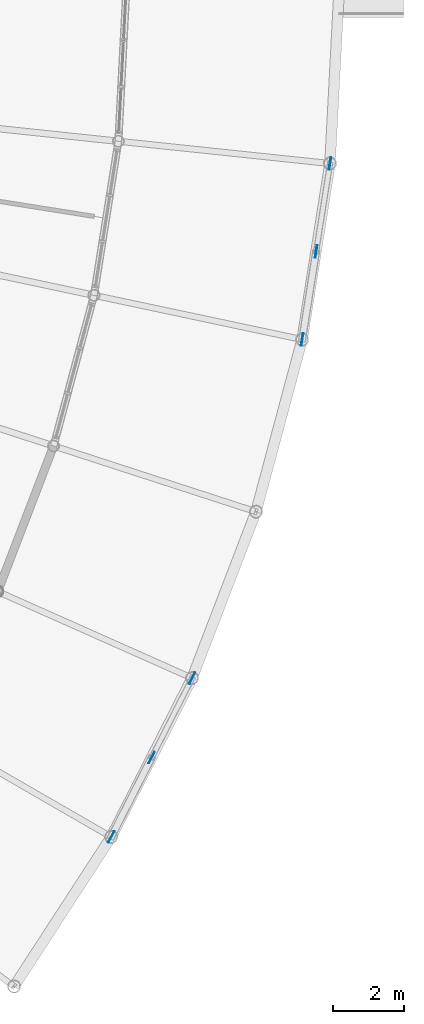
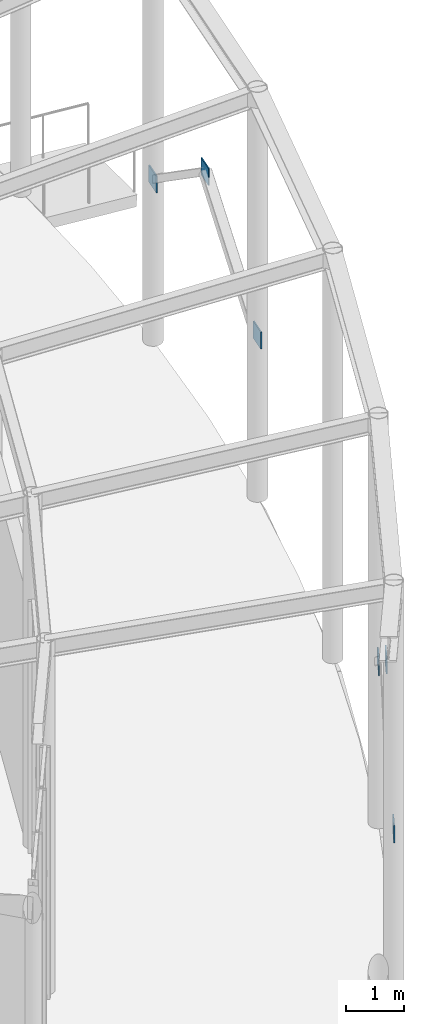
# One storey, part 118 of 158: 6 plates.
"""IFC4 building model written with IfcOpenShell, lengths in metres."""

from ifc_helpers import new_model, si_unit, derived_unit, direction, frame, origin, origin_2d, place, context, subcontext, project, spatial, rectangle, extrude, material, layer, layer_set, type_object, element, save


model = new_model("IFC4")

# Units and contexts
model_context = context("Model", 3, precision=1e-05, world=origin(), true_north=direction((0.0, 1.0)))
body_context = subcontext(model_context, "Body", "Model", "MODEL_VIEW")
ifc_project = project(units=[si_unit("LENGTHUNIT", "METRE"), si_unit("AREAUNIT", "SQUARE_METRE"), si_unit("VOLUMEUNIT", "CUBIC_METRE"), si_unit("PLANEANGLEUNIT", "RADIAN"), si_unit("MASSUNIT", "GRAM", prefix="KILO"), si_unit("THERMODYNAMICTEMPERATUREUNIT", "KELVIN"), si_unit("TIMEUNIT", "SECOND"), derived_unit("THERMALTRANSMITTANCEUNIT", [(si_unit("MASSUNIT", "GRAM", prefix="KILO"), 1), (si_unit("THERMODYNAMICTEMPERATUREUNIT", "KELVIN"), -1), (si_unit("TIMEUNIT", "SECOND"), -3)])], contexts=[model_context])

# Site, building, storey
site_placement = place(None, origin())
site = spatial("IfcSite", under=ifc_project, at=site_placement, CompositionType="ELEMENT")
building_placement = place(site_placement, origin())
building = spatial("IfcBuilding", under=site, at=building_placement, Name="Cambertide Market Hall", CompositionType="ELEMENT")
storey_placement = place(building_placement, origin())
storey = spatial("IfcBuildingStorey", under=building, at=storey_placement, Name="L01", CompositionType="ELEMENT", Elevation=0.0)

# Plates
ifc_material = material(Name="Steel S355", Category="steel")
ifc_layer = layer(ifc_material, 0.02392578125, Name="Steel End Cap Plate EC-03E")
ifc_layer_set = layer_set([ifc_layer], Name="Steel S355")
plate_type = type_object("IfcPlateType", Name="Steel End Cap Plate EC-03E", PredefinedType="USERDEFINED", material=ifc_layer_set)
for number, where, z_axis, x_axis, name in (
    (1, (185.5693359375, 42.0, 3.2197265625), (0.0, 0.0, 1.0), (0.45399049974, 0.891006524188, 0.0), "Level 1 Brace Connection End Cap Plate EC-BRN-271"),
    (2, (186.709716796875, 44.23828125, 5.02001953125), (0.0, 0.0, 1.0), (0.45399049974, 0.891006524188, 0.0), "Level 1 Brace Connection End Cap Plate EC-BRN-272"),
    (3, (187.85009765625, 46.4765625, 3.2197265625), (0.0, 0.0, 1.0), (-0.45399049974, -0.891006524188, 0.0), "Level 1 Brace Connection End Cap Plate EC-BRN-273"),
    (4, (190.951171875, 56.020263671875, 3.2197265625), (0.0, 0.0, 1.0), (0.15643446504, 0.987688340595, 0.0), "Level 1 Brace Connection End Cap Plate EC-BRN-274"),
    (5, (191.343994140625, 58.50146484375, 5.02001953125), (0.0, 0.0, 1.0), (0.15643446504, 0.987688340595, 0.0), "Level 1 Brace Connection End Cap Plate EC-BRN-275"),
    (6, (191.737060546875, 60.982666015625, 3.2197265625), (0.0, 0.0, 1.0), (-0.15643446504, -0.987688340595, 0.0), "Level 1 Brace Connection End Cap Plate EC-BRN-276"),
):
    element("IfcPlate", number, at=place(storey_placement, frame(where, z_axis=z_axis, x_axis=x_axis)), inside=storey, type_object=plate_type, Name=name, ObjectType="END CAP PLATE", PredefinedType="USERDEFINED", context=body_context, shape_type="SweptSolid", body=[
        extrude(rectangle(XDim=0.360107421875, YDim=0.02392578125, at=origin_2d()), origin(), (0.0, 0.0, 1.0), 0.360107421875),
    ])

save(model, "model.ifc")
